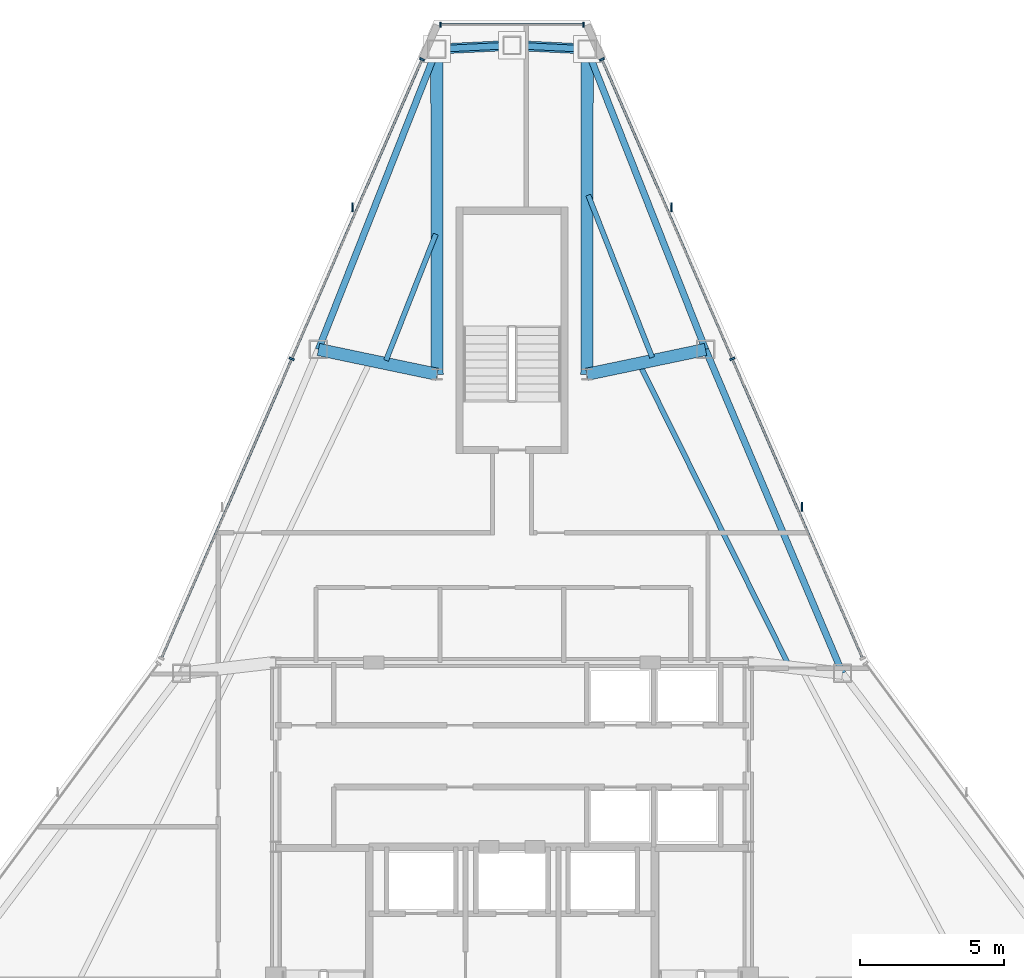
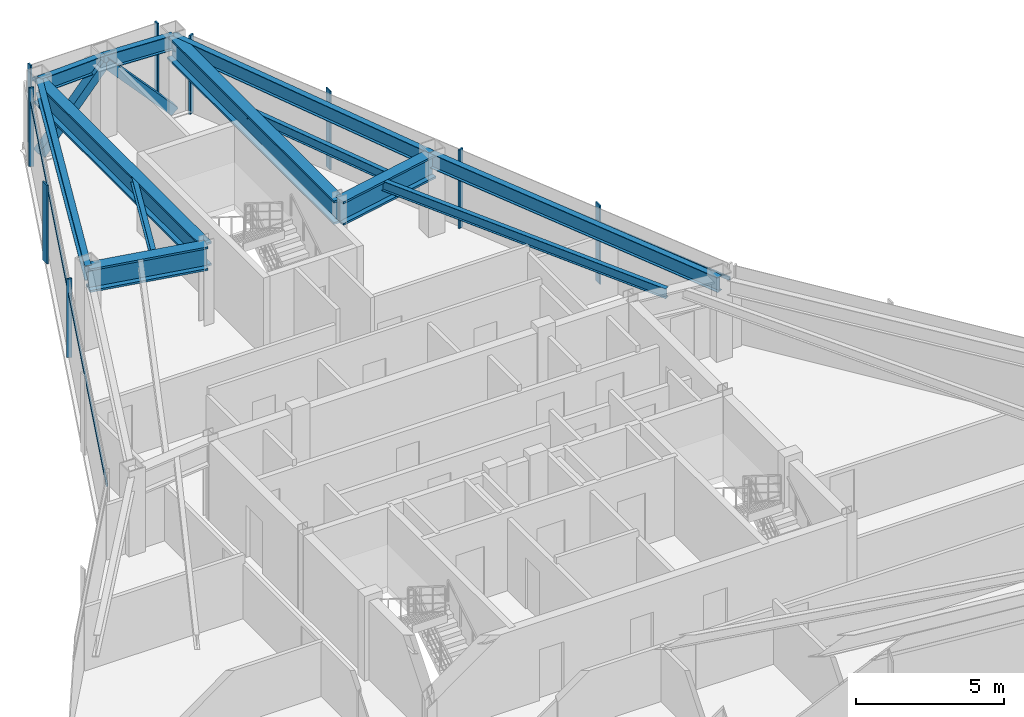
# One storey, part 7 of 12: 14 members, 12 beams, 3 elements without a shape of their own.
"""IFC4 building model written with IfcOpenShell, lengths in metres."""

from ifc_helpers import new_model, si_unit, direction, frame, origin, origin_2d, place, context, subcontext, project, spatial, rectangle, hollow_rectangle, i_section, extrude, source, transform, mapped, material, layer, layer_set, material_profile, profile_set, type_object, type_shapes, element, aggregate, save


model = new_model("IFC4")

# Units and contexts
model_context = context("Model", 3, precision=1e-05, world=origin(), true_north=direction((0.0, 1.0)))
body_context = subcontext(model_context, "Body", "Model", "MODEL_VIEW")
ifc_project = project(units=[si_unit("LENGTHUNIT", "METRE"), si_unit("AREAUNIT", "SQUARE_METRE"), si_unit("VOLUMEUNIT", "CUBIC_METRE"), si_unit("PLANEANGLEUNIT", "RADIAN"), si_unit("MASSUNIT", "GRAM", prefix="KILO")], contexts=[model_context])

# Site, building, storey
site_placement = place(None, origin())
site = spatial("IfcSite", under=ifc_project, at=site_placement, CompositionType="ELEMENT")
building_placement = place(site_placement, origin())
building = spatial("IfcBuilding", under=site, at=building_placement, Name="Varakhsha Concourse Tower", CompositionType="ELEMENT")
storey_placement = place(building_placement, frame((0.0, 0.0, 283.0)))
storey = spatial("IfcBuildingStorey", under=building, at=storey_placement, Name="L80", CompositionType="ELEMENT", Elevation=283.0)

# Beams
ifc_material_1 = material(Name="Structural Steel ASTM A992 Grade 50", Category="steel")
ifc_material_profile_1 = material_profile(ifc_material_1, i_section(OverallWidth=0.177978515625, OverallDepth=0.406982421875, WebThickness=0.008056640625, FlangeThickness=0.012939453125, at=origin_2d()), Name="W16X40")
ifc_profile_set_1 = profile_set([ifc_material_profile_1], Name="Structural Steel ASTM A992 Grade 50")
beam_type_1 = type_object("IfcBeamType", Name="BM-JST-W16X40", PredefinedType="JOIST", material=ifc_profile_set_1)
beam_1_placement = place(storey_placement, frame((37.3564453125, 46.06494140625, 3.04638671875), z_axis=(-0.366713451623, -0.930333942409, 0.0), x_axis=(0.930333942409, -0.366713451623, 0.0)))
element("IfcBeam", 1, at=beam_1_placement, inside=storey, type_object=beam_type_1, Name="BM-TJST-L80-03", PredefinedType="JOIST", context=body_context, shape_type="SweptSolid", body=[
    extrude(i_section(OverallWidth=0.177978515625, OverallDepth=0.406982421875, WebThickness=0.008056640625, FlangeThickness=0.012939453125, at=origin_2d()), origin(), (0.0, 0.0, 1.0), 4.71142578125),
])
beam_2_placement = place(storey_placement, frame((49.5908203125, 31.1328125, 3.04638671875), z_axis=(-0.444192551779, 0.895931346111, 0.0), x_axis=(-0.895931346111, -0.444192551779, 0.0)))
element("IfcBeam", 2, at=beam_2_placement, inside=storey, type_object=beam_type_1, Name="BM-TJST-L80-17", PredefinedType="JOIST", context=body_context, shape_type="SweptSolid", body=[
    extrude(i_section(OverallWidth=0.177978515625, OverallDepth=0.406982421875, WebThickness=0.008056640625, FlangeThickness=0.012939453125, at=origin_2d()), origin(), (0.0, 0.0, 1.0), 11.5498046875),
])
beam_3_placement = place(storey_placement, frame((44.865234375, 41.784912109375, 3.04638671875), z_axis=(-0.366694753841, 0.930341312372, 0.0), x_axis=(-0.930341312372, -0.366694753841, 0.0)))
element("IfcBeam", 3, at=beam_3_placement, inside=storey, type_object=beam_type_1, Name="BM-TJST-L80-18", PredefinedType="JOIST", context=body_context, shape_type="SweptSolid", body=[
    extrude(i_section(OverallWidth=0.177978515625, OverallDepth=0.406982421875, WebThickness=0.008056640625, FlangeThickness=0.012939453125, at=origin_2d()), origin(), (0.0, 0.0, 1.0), 6.056640625),
])
ifc_material_profile_2 = material_profile(ifc_material_1, i_section(OverallWidth=0.22900390625, OverallDepth=0.612060546875, WebThickness=0.011962890625, FlangeThickness=0.02001953125, at=origin_2d()), Name="W24X84")
ifc_profile_set_2 = profile_set([ifc_material_profile_2], Name="Structural Steel ASTM A992 Grade 50")
beam_type_2 = type_object("IfcBeamType", Name="BM-SPAN-W24X84", PredefinedType="SPANDREL", material=ifc_profile_set_2)
for number, where, z_axis, x_axis, name in (
    (4, (42.607177734375, 52.489013671875, 2.944091796875), (-0.998802896169, 0.048915995383, 0.0), (-0.048915995383, -0.998802896169, 0.0), "BM-SPAN-L80-01"),
    (5, (40.0, 52.61669921875, 2.944091796875), (-0.998802896169, -0.048915995383, 0.0), (0.048915995383, -0.998802896169, 0.0), "BM-SPAN-L80-02"),
):
    element("IfcBeam", number, at=place(storey_placement, frame(where, z_axis=z_axis, x_axis=x_axis)), inside=storey, type_object=beam_type_2, Name=name, PredefinedType="SPANDREL", context=body_context, shape_type="SweptSolid", body=[
        extrude(i_section(OverallWidth=0.22900390625, OverallDepth=0.612060546875, WebThickness=0.011962890625, FlangeThickness=0.02001953125, at=origin_2d()), origin(), (0.0, 0.0, 1.0), 2.6103515625),
    ])
beam_4_placement = place(storey_placement, frame((37.392822265625, 52.489013671875, 2.944091796875), z_axis=(-0.366717648912, -0.930332287936, 0.0), x_axis=(0.930332287936, -0.366717648912, 0.0)))
element("IfcBeam", 6, at=beam_4_placement, inside=storey, type_object=beam_type_2, Name="BM-SPAN-L80-03", PredefinedType="SPANDREL", context=body_context, shape_type="SweptSolid", body=[
    extrude(i_section(OverallWidth=0.22900390625, OverallDepth=0.612060546875, WebThickness=0.011962890625, FlangeThickness=0.02001953125, at=origin_2d()), origin(), (0.0, 0.0, 1.0), 11.207763671875),
])
beam_5_placement = place(storey_placement, frame((51.471923828125, 30.8232421875, 2.944091796875), z_axis=(-0.389624327062, 0.920973877893, 0.0), x_axis=(-0.920973877893, -0.389624327062, 0.0)))
element("IfcBeam", 7, at=beam_5_placement, inside=storey, type_object=beam_type_2, Name="BM-SPAN-L80-17", PredefinedType="SPANDREL", context=body_context, shape_type="SweptSolid", body=[
    extrude(i_section(OverallWidth=0.22900390625, OverallDepth=0.612060546875, WebThickness=0.011962890625, FlangeThickness=0.02001953125, at=origin_2d()), origin(), (0.0, 0.0, 1.0), 12.203125),
])
beam_6_placement = place(storey_placement, frame((46.71728515625, 42.06201171875, 2.944091796875), z_axis=(-0.366717648912, 0.930332287936, 0.0), x_axis=(-0.930332287936, -0.366717648912, 0.0)))
element("IfcBeam", 8, at=beam_6_placement, inside=storey, type_object=beam_type_2, Name="BM-SPAN-L80-18", PredefinedType="SPANDREL", context=body_context, shape_type="SweptSolid", body=[
    extrude(i_section(OverallWidth=0.22900390625, OverallDepth=0.612060546875, WebThickness=0.011962890625, FlangeThickness=0.02001953125, at=origin_2d()), origin(), (0.0, 0.0, 1.0), 11.207763671875),
])
ifc_material_profile_3 = material_profile(ifc_material_1, i_section(OverallWidth=0.427978515625, OverallDepth=0.97509765625, WebThickness=0.050048828125, FlangeThickness=0.0810546875, at=origin_2d()), Name="W36X395")
ifc_profile_set_3 = profile_set([ifc_material_profile_3], Name="Structural Steel ASTM A992 Grade 50")
beam_type_3 = type_object("IfcBeamType", Name="BM-XFER-W36X395", PredefinedType="USERDEFINED", material=ifc_profile_set_3)
for number, where, z_axis, x_axis, name in (
    (9, (42.60009765625, 41.199951171875, 2.762451171875), (0.000627162506, 0.999999803334, 0.0), (-0.999999803334, 0.000627162506, 0.0), "L80 Radial Floor Girder 01"),
    (10, (37.39990234375, 41.199951171875, 2.762451171875), (-0.000627162506, 0.999999803334, 0.0), (-0.999999803334, -0.000627162506, 0.0), "L80 Radial Floor Girder 03"),
):
    element("IfcBeam", number, at=place(storey_placement, frame(where, z_axis=z_axis, x_axis=x_axis)), inside=storey, type_object=beam_type_3, Name=name, ObjectType="GIRDER", PredefinedType="USERDEFINED", context=body_context, shape_type="SweptSolid", body=[
        extrude(i_section(OverallWidth=0.427978515625, OverallDepth=0.97509765625, WebThickness=0.050048828125, FlangeThickness=0.0810546875, at=origin_2d()), origin(), (0.0, 0.0, 1.0), 11.2890625),
    ])
for number, where, z_axis, x_axis, name in (
    (11, (37.39990234375, 41.199951171875, 2.762451171875), (-0.978775195444, 0.204936860479, 0.0), (-0.204936860479, -0.978775195444, 0.0), "L80 Radial Floor Girder 04"),
    (12, (42.60009765625, 41.199951171875, 2.762451171875), (0.978775195444, 0.204936860479, 0.0), (-0.204936860479, 0.978775195444, 0.0), "L80 Radial Floor Girder 18"),
):
    element("IfcBeam", number, at=place(storey_placement, frame(where, z_axis=z_axis, x_axis=x_axis)), inside=storey, type_object=beam_type_3, Name=name, ObjectType="GIRDER", PredefinedType="USERDEFINED", context=body_context, shape_type="SweptSolid", body=[
        extrude(i_section(OverallWidth=0.427978515625, OverallDepth=0.97509765625, WebThickness=0.050048828125, FlangeThickness=0.0810546875, at=origin_2d()), origin(), (0.0, 0.0, 1.0), 4.20654296875),
    ])

# Members
ifc_material_2 = material(Name="Structural Steel ASTM A500 Grade C", Category="steel")
ifc_material_profile_4 = material_profile(ifc_material_2, hollow_rectangle(XDim=0.35009765625, YDim=0.35009765625, WallThickness=0.01611328125, at=origin_2d()), Name="HSS 350x350x16")
ifc_profile_set_4 = profile_set([ifc_material_profile_4], Name="Structural Steel ASTM A500 Grade C")
member_type_1 = type_object("IfcMemberType", Name="MB-TUBE-HSS350", PredefinedType="BRACE", material=ifc_profile_set_4)
shared_shape_1 = source(origin(), body_context, "Body", "SweptSolid", [
    extrude(hollow_rectangle(XDim=0.35009765625, YDim=0.35009765625, WallThickness=0.01611328125, at=origin_2d()), origin(), (0.0, 0.0, 1.0), 3.849853515625),
])
type_shapes(member_type_1, [shared_shape_1])
for number, where, z_axis, x_axis, name in (
    (13, (42.607177734375, 52.489013671875, 0.1201171875), (-0.677208674465, 0.033166039587, 0.735043145025), (-0.048915995383, -0.998802896169, 0.0), "L80 Wind-Corner Tube Brace B01"),
    (14, (37.392822265625, 52.489013671875, 0.1201171875), (0.677208674465, 0.033166039587, 0.735043145025), (-0.048915995383, 0.998802896169, 0.0), "L80 Wind-Corner Tube Brace B02"),
):
    element("IfcMember", number, at=place(storey_placement, frame(where, z_axis=z_axis, x_axis=x_axis)), inside=storey, type_object=member_type_1, Name=name, PredefinedType="BRACE", context=body_context, shape_type="MappedRepresentation", body=[
        mapped(shared_shape_1, transform((0.0, 0.0, 0.0), scale=1.0)),
    ])

# Curtain wall, members
ifc_material_3 = material(Name="Anodised Bronze Architectural Aluminium AA 6063-T6", Category="aluminium")
ifc_layer = layer(ifc_material_3, 0.199951171875, Name="CW-SYS-05")
ifc_layer_set = layer_set([ifc_layer], Name="Anodised Bronze Architectural Aluminium AA 6063-T6")
curtain_wall_type = type_object("IfcCurtainWallType", Name="CW-SYS-05", PredefinedType="NOTDEFINED", material=ifc_layer_set)
curtain_wall_1_placement = place(storey_placement, origin())
curtain_wall_1 = element("IfcCurtainWall", 15, at=curtain_wall_1_placement, inside=storey, type_object=curtain_wall_type, Name="L80 Chamfer Curtain Wall F1", PredefinedType="NOTDEFINED")
ifc_material_profile_5 = material_profile(ifc_material_3, rectangle(XDim=0.06494140625, YDim=0.179931640625, at=origin_2d()), Name="CWM-180X65")
ifc_profile_set_5 = profile_set([ifc_material_profile_5], Name="Anodised Bronze Architectural Aluminium AA 6063-T6")
member_type_2 = type_object("IfcMemberType", Name="CWM-180X65", PredefinedType="MULLION", material=ifc_profile_set_5)
shared_shape_2 = source(origin(), body_context, "Body", "SweptSolid", [
    extrude(rectangle(XDim=0.06494140625, YDim=0.179931640625, at=origin_2d()), origin(), (0.0, 0.0, 1.0), 3.25),
])
type_shapes(member_type_2, [shared_shape_2])
member_1_placement = place(storey_placement, frame((37.52001953125, 53.3369140625, 0.0), z_axis=(0.0, 0.0, 1.0), x_axis=(1.0, 0.0, 0.0)))
member_1 = element("IfcMember", 16, at=member_1_placement, type_object=member_type_2, Name="CW-L80-F1 Mullion 00", PredefinedType="MULLION", context=body_context, shape_type="MappedRepresentation", body=[
    mapped(shared_shape_2, transform((0.0, 0.0, 0.0), scale=1.0)),
])
member_2_placement = place(storey_placement, frame((42.47998046875, 53.3369140625, 0.0), z_axis=(0.0, 0.0, 1.0), x_axis=(1.0, 0.0, 0.0)))
member_2 = element("IfcMember", 17, at=member_2_placement, type_object=member_type_2, Name="CW-L80-F1 Mullion 01", PredefinedType="MULLION", context=body_context, shape_type="MappedRepresentation", body=[
    mapped(shared_shape_2, transform((0.0, 0.0, 0.0), scale=1.0)),
])

curtain_wall_2_placement = place(storey_placement, origin())
curtain_wall_2 = element("IfcCurtainWall", 18, at=curtain_wall_2_placement, inside=storey, type_object=curtain_wall_type, Name="L80 Crystal Curtain Wall F2", PredefinedType="NOTDEFINED")
member_3_placement = place(storey_placement, frame((32.355224609375, 41.73486328125, 0.0), z_axis=(0.0, 0.0, 1.0), x_axis=(0.39908356189, 0.916914560158, 0.0)))
member_3 = element("IfcMember", 19, at=member_3_placement, type_object=member_type_2, Name="CW-L80-F2 Mullion 01", PredefinedType="MULLION", context=body_context, shape_type="MappedRepresentation", body=[
    mapped(shared_shape_2, transform((0.0, 0.0, 0.0), scale=1.0)),
])
member_4_placement = place(storey_placement, frame((36.8798828125, 52.130859375, 0.0), z_axis=(0.0, 0.0, 1.0), x_axis=(0.39908356189, 0.916914560158, 0.0)))
member_4 = element("IfcMember", 20, at=member_4_placement, type_object=member_type_2, Name="CW-L80-F2 Mullion 02", PredefinedType="MULLION", context=body_context, shape_type="MappedRepresentation", body=[
    mapped(shared_shape_2, transform((0.0, 0.0, 0.0), scale=1.0)),
])

curtain_wall_3_placement = place(storey_placement, origin())
curtain_wall_3 = element("IfcCurtainWall", 21, at=curtain_wall_3_placement, inside=storey, type_object=curtain_wall_type, Name="L80 Crystal Curtain Wall F9", PredefinedType="NOTDEFINED")
member_5_placement = place(storey_placement, frame((43.1201171875, 52.130859375, 0.0), z_axis=(0.0, 0.0, 1.0), x_axis=(0.39908356189, -0.916914560158, 0.0)))
member_5 = element("IfcMember", 22, at=member_5_placement, type_object=member_type_2, Name="CW-L80-F9 Mullion 00", PredefinedType="MULLION", context=body_context, shape_type="MappedRepresentation", body=[
    mapped(shared_shape_2, transform((0.0, 0.0, 0.0), scale=1.0)),
])
member_6_placement = place(storey_placement, frame((47.64501953125, 41.73486328125, 0.0), z_axis=(0.0, 0.0, 1.0), x_axis=(0.39908356189, -0.916914560158, 0.0)))
member_6 = element("IfcMember", 23, at=member_6_placement, type_object=member_type_2, Name="CW-L80-F9 Mullion 01", PredefinedType="MULLION", context=body_context, shape_type="MappedRepresentation", body=[
    mapped(shared_shape_2, transform((0.0, 0.0, 0.0), scale=1.0)),
])

# Member
ifc_material_profile_6 = material_profile(ifc_material_3, rectangle(XDim=0.054931640625, YDim=0.300048828125, at=origin_2d()), Name="FIN-BRZ-300")
ifc_profile_set_6 = profile_set([ifc_material_profile_6], Name="Anodised Bronze Architectural Aluminium AA 6063-T6")
member_type_3 = type_object("IfcMemberType", Name="FIN-BRZ-300", PredefinedType="USERDEFINED", material=ifc_profile_set_6)
shared_shape_3 = source(origin(), body_context, "Body", "SweptSolid", [
    extrude(rectangle(XDim=0.054931640625, YDim=0.300048828125, at=origin_2d()), origin(), (0.0, 0.0, 1.0), 3.25),
])
type_shapes(member_type_3, [shared_shape_3])
member_7_placement = place(storey_placement, frame((34.46630859375, 46.998779296875, 0.0), z_axis=(0.0, 0.0, 1.0), x_axis=(1.0, 0.0, 0.0)))
member_7 = element("IfcMember", 24, at=member_7_placement, type_object=member_type_3, Name="L80 Anodised Bronze Solar Fin F2-2", ObjectType="SOLAR FIN", PredefinedType="USERDEFINED", context=body_context, shape_type="MappedRepresentation", body=[
    mapped(shared_shape_3, transform((0.0, 0.0, 0.0), scale=1.0)),
])

member_8_placement = place(storey_placement, frame((45.53369140625, 46.998779296875, 0.0), z_axis=(0.0, 0.0, 1.0), x_axis=(1.0, 0.0, 0.0)))
member_8 = element("IfcMember", 25, at=member_8_placement, type_object=member_type_3, Name="L80 Anodised Bronze Solar Fin F9-1", ObjectType="SOLAR FIN", PredefinedType="USERDEFINED", context=body_context, shape_type="MappedRepresentation", body=[
    mapped(shared_shape_3, transform((0.0, 0.0, 0.0), scale=1.0)),
])

member_9_placement = place(storey_placement, frame((50.05859375, 36.602783203125, 0.0), z_axis=(0.0, 0.0, 1.0), x_axis=(1.0, 0.0, 0.0)))
member_9 = element("IfcMember", 26, at=member_9_placement, type_object=member_type_3, Name="L80 Anodised Bronze Solar Fin F9-2", ObjectType="SOLAR FIN", PredefinedType="USERDEFINED", context=body_context, shape_type="MappedRepresentation", body=[
    mapped(shared_shape_3, transform((0.0, 0.0, 0.0), scale=1.0)),
])

ifc_material_profile_7 = material_profile(ifc_material_3, rectangle(XDim=0.06005859375, YDim=0.139892578125, at=origin_2d()), Name="CWT-140X60")
ifc_profile_set_7 = profile_set([ifc_material_profile_7], Name="Anodised Bronze Architectural Aluminium AA 6063-T6")
member_type_4 = type_object("IfcMemberType", Name="CWT-140X60", PredefinedType="USERDEFINED", material=ifc_profile_set_7)
shared_shape_4 = source(origin(), body_context, "Body", "SweptSolid", [
    extrude(rectangle(XDim=0.06005859375, YDim=0.139892578125, at=origin_2d()), origin(), (0.0, 0.0, 1.0), 4.9599609375),
])
member_10_placement = place(storey_placement, frame((37.52001953125, 53.3369140625, 2.60009765625), z_axis=(1.0, 0.0, 0.0), x_axis=(0.0, 1.0, 0.0)))
member_10 = element("IfcMember", 27, at=member_10_placement, type_object=member_type_4, Name="CW-L80-F1 Transom 01", ObjectType="TRANSOM", PredefinedType="USERDEFINED", context=body_context, shape_type="MappedRepresentation", body=[
    mapped(shared_shape_4, transform((0.0, 0.0, 0.0), scale=1.0)),
])

aggregate(curtain_wall_1, [member_1, member_2, member_10])

shared_shape_5 = source(origin(), body_context, "Body", "SweptSolid", [
    extrude(rectangle(XDim=0.06005859375, YDim=0.139892578125, at=origin_2d()), origin(), (0.0, 0.0, 1.0), 22.676025390625),
])
type_shapes(member_type_4, [shared_shape_4, shared_shape_5])
member_11_placement = place(storey_placement, frame((27.830322265625, 31.3388671875, 2.60009765625), z_axis=(0.399080793172, 0.916915765227, 0.0), x_axis=(-0.916915765227, 0.399080793172, 0.0)))
member_11 = element("IfcMember", 28, at=member_11_placement, type_object=member_type_4, Name="CW-L80-F2 Transom 01", ObjectType="TRANSOM", PredefinedType="USERDEFINED", context=body_context, shape_type="MappedRepresentation", body=[
    mapped(shared_shape_5, transform((0.0, 0.0, 0.0), scale=1.0)),
])

aggregate(curtain_wall_2, [member_3, member_4, member_11, member_7])

member_12_placement = place(storey_placement, frame((43.1201171875, 52.130859375, 2.60009765625), z_axis=(0.399080793172, -0.916915765227, 0.0), x_axis=(0.916915765227, 0.399080793172, 0.0)))
member_12 = element("IfcMember", 29, at=member_12_placement, type_object=member_type_4, Name="CW-L80-F9 Transom 01", ObjectType="TRANSOM", PredefinedType="USERDEFINED", context=body_context, shape_type="MappedRepresentation", body=[
    mapped(shared_shape_5, transform((0.0, 0.0, 0.0), scale=1.0)),
])

aggregate(curtain_wall_3, [member_5, member_6, member_12, member_8, member_9])

save(model, "model.ifc")
